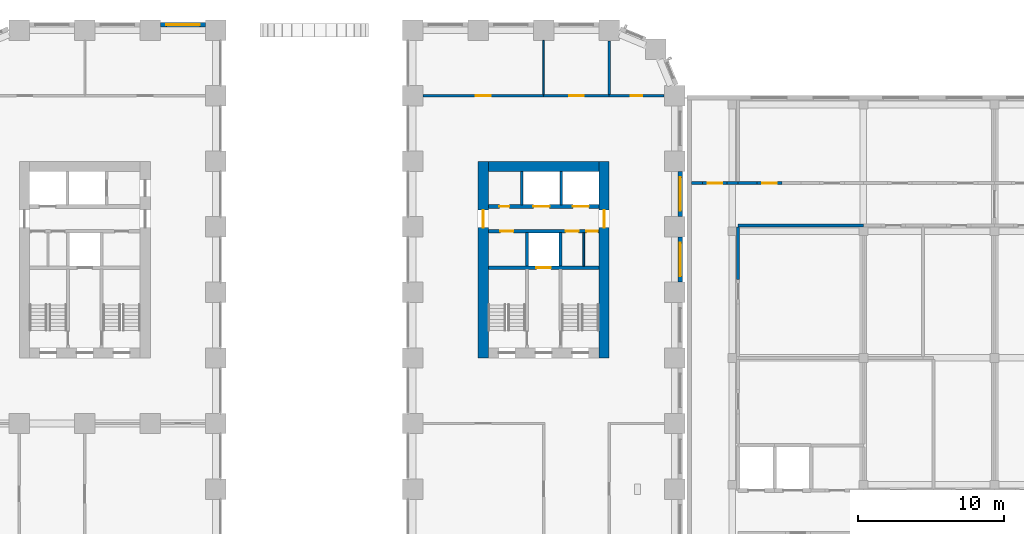
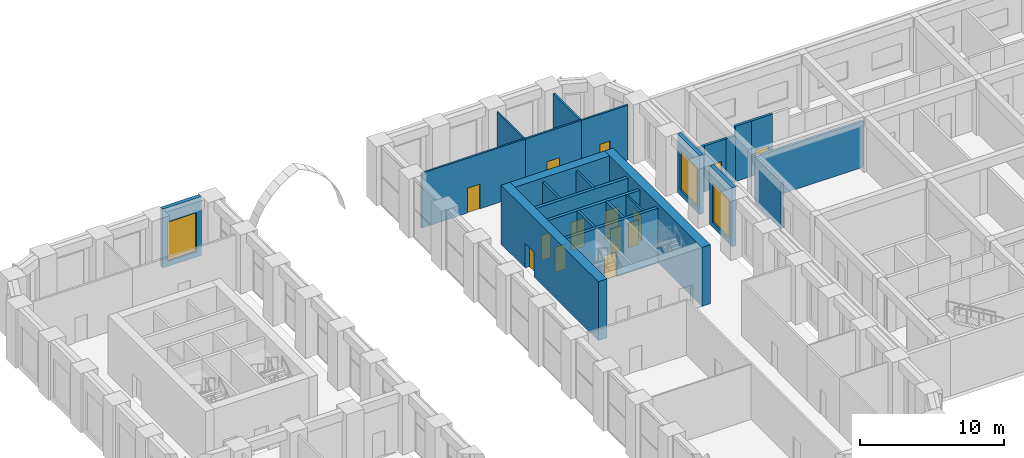
# One storey, part 12 of 24: 26 walls, 14 doors, 3 windows, 17 openings.
"""IFC4 building model written with IfcOpenShell, lengths in metres."""

from ifc_helpers import new_model, si_unit, direction, frame, frame_2d, origin, place, context, subcontext, project, spatial, rectangle, extrude, material, layer, layer_set, type_object, element, fill, save


model = new_model("IFC4")

# Units and contexts
model_context = context("Model", 3, precision=1e-05, world=origin(), true_north=direction((0.0, 1.0)))
body_context = subcontext(model_context, "Body", "Model", "MODEL_VIEW")
ifc_project = project(units=[si_unit("LENGTHUNIT", "METRE"), si_unit("AREAUNIT", "SQUARE_METRE"), si_unit("VOLUMEUNIT", "CUBIC_METRE"), si_unit("PLANEANGLEUNIT", "RADIAN"), si_unit("MASSUNIT", "GRAM", prefix="KILO")], contexts=[model_context])

# Site, building, storey
site_placement = place(None, origin())
site = spatial("IfcSite", under=ifc_project, at=site_placement, CompositionType="ELEMENT")
building_placement = place(site_placement, origin())
building = spatial("IfcBuilding", under=site, at=building_placement, Name="Girih Gate Residences", CompositionType="ELEMENT")
storey_placement = place(building_placement, frame((0.0, 0.0, 11.0)))
storey = spatial("IfcBuildingStorey", under=building, at=storey_placement, Name="L02", CompositionType="ELEMENT", Elevation=11.0)

# Wall
ifc_material_1 = material(Name="Gypsum board on steel studs", Category="steel")
ifc_layer_1 = layer(ifc_material_1, 0.14990234375)
ifc_layer_set_1 = layer_set([ifc_layer_1], Name="Compartment wall 150 mm")
wall_type_1 = type_object("IfcWallType", Name="Compartment wall 150 mm", PredefinedType="PARTITIONING", material=ifc_layer_set_1)
wall_1_placement = place(storey_placement, frame((45.0, 45.074951171875, 0.0), z_axis=(0.0, 0.0, 1.0), x_axis=(0.0, 1.0, 0.0)))
element("IfcWall", 1, at=wall_1_placement, inside=storey, type_object=wall_type_1, Name="L02 partition", PredefinedType="PARTITIONING", context=body_context, shape_type="SweptSolid", body=[
    extrude(rectangle(XDim=3.66748046875, YDim=0.14990234375, at=frame_2d((1.833740234375, 0.0))), origin(), (0.0, 0.0, 1.0), 4.64990234375),
])

# Wall, opening, door
wall_2_placement = place(storey_placement, frame((45.0, 45.0, 0.0), z_axis=(0.0, 0.0, 1.0), x_axis=(1.0, 0.0, 0.0)))
wall_2 = element("IfcWall", 2, at=wall_2_placement, inside=storey, type_object=wall_type_1, Name="L02 partition", PredefinedType="PARTITIONING", context=body_context, shape_type="SweptSolid", body=[
    extrude(rectangle(XDim=3.742431640625, YDim=0.14990234375, at=frame_2d((1.87109375, 0.0))), origin(), (0.0, 0.0, 1.0), 4.64990234375),
])
opening_1_placement = place(wall_2_placement, frame((1.47119140625, 0.0, 0.0)))
opening_1 = element("IfcOpeningElement", 3, at=opening_1_placement, cuts=wall_2, Name="Opening D-L02-S-002", PredefinedType="OPENING", context=body_context, shape_type="SweptSolid", body=[
    extrude(rectangle(XDim=0.800048828125, YDim=2.10009765625, at=frame_2d((0.39990234375, 1.050048828125))), frame((0.0, 0.0849609375, 0.0), z_axis=(0.0, -1.0, 0.0), x_axis=(1.0, 0.0, 0.0)), (0.0, 0.0, 1.0), 0.169921875),
])
ifc_material_2 = material(Name="Timber", Category="wood")
door_type_1 = type_object("IfcDoorType", Name="WC and store door 800x2100", OperationType="SINGLE_SWING_LEFT", PredefinedType="DOOR", material=ifc_material_2)
door_1_placement = place(opening_1_placement, origin())
door_1 = element("IfcDoor", 4, at=door_1_placement, inside=storey, type_object=door_type_1, Name="Door L02-002", OperationType="SINGLE_SWING_RIGHT", OverallHeight=2.10009765625, OverallWidth=0.800048828125, PredefinedType="DOOR", context=body_context, shape_type="SweptSolid", body=[
    extrude(rectangle(XDim=0.800048828125, YDim=2.10009765625, at=frame_2d((0.39990234375, 1.050048828125))), frame((0.0, 0.02490234375, 0.0), z_axis=(0.0, -1.0, 0.0), x_axis=(1.0, 0.0, 0.0)), (0.0, 0.0, 1.0), 0.050048828125),
])
fill(opening_1, door_1)

wall_3_placement = place(storey_placement, frame((40.5, 45.0, 0.0), z_axis=(0.0, 0.0, 1.0), x_axis=(1.0, 0.0, 0.0)))
wall_3 = element("IfcWall", 5, at=wall_3_placement, inside=storey, type_object=wall_type_1, Name="L02 partition", PredefinedType="PARTITIONING", context=body_context, shape_type="SweptSolid", body=[
    extrude(rectangle(XDim=4.5, YDim=0.14990234375, at=frame_2d((2.25, 0.0))), origin(), (0.0, 0.0, 1.0), 4.64990234375),
])
opening_2_placement = place(wall_3_placement, frame((1.75, 0.0, 0.0)))
opening_2 = element("IfcOpeningElement", 6, at=opening_2_placement, cuts=wall_3, Name="Opening D-L02-S-003", PredefinedType="OPENING", context=body_context, shape_type="SweptSolid", body=[
    extrude(rectangle(XDim=1.0, YDim=2.10009765625, at=frame_2d((0.5, 1.050048828125))), frame((0.0, 0.0849609375, 0.0), z_axis=(0.0, -1.0, 0.0), x_axis=(1.0, 0.0, 0.0)), (0.0, 0.0, 1.0), 0.169921875),
])
ifc_material_3 = material(Name="Timber, fire-rated core", Category="wood")
door_type_2 = type_object("IfcDoorType", Name="Amenity door 1000x2100 FD30S", OperationType="SINGLE_SWING_LEFT", PredefinedType="DOOR", material=ifc_material_3)
door_2_placement = place(opening_2_placement, origin())
door_2 = element("IfcDoor", 7, at=door_2_placement, inside=storey, type_object=door_type_2, Name="Door L02-003", OperationType="SINGLE_SWING_RIGHT", OverallHeight=2.10009765625, OverallWidth=1.0, PredefinedType="DOOR", context=body_context, shape_type="SweptSolid", body=[
    extrude(rectangle(XDim=1.0, YDim=2.10009765625, at=frame_2d((0.5, 1.050048828125))), frame((0.0, 0.02490234375, 0.0), z_axis=(0.0, -1.0, 0.0), x_axis=(1.0, 0.0, 0.0)), (0.0, 0.0, 1.0), 0.050048828125),
])
fill(opening_2, door_2)

wall_4_placement = place(storey_placement, frame((32.199951171875, 45.0, 0.0), z_axis=(0.0, 0.0, 1.0), x_axis=(1.0, 0.0, 0.0)))
wall_4 = element("IfcWall", 8, at=wall_4_placement, inside=storey, type_object=wall_type_1, Name="L02 partition", PredefinedType="PARTITIONING", context=body_context, shape_type="SweptSolid", body=[
    extrude(rectangle(XDim=8.300048828125, YDim=0.14990234375, at=frame_2d((4.14990234375, 0.0))), origin(), (0.0, 0.0, 1.0), 4.64990234375),
])
opening_3_placement = place(wall_4_placement, frame((3.64990234375, 0.0, 0.0)))
opening_3 = element("IfcOpeningElement", 9, at=opening_3_placement, cuts=wall_4, Name="Opening D-L02-S-004", PredefinedType="OPENING", context=body_context, shape_type="SweptSolid", body=[
    extrude(rectangle(XDim=1.0, YDim=2.10009765625, at=frame_2d((0.5, 1.050048828125))), frame((0.0, 0.0849609375, 0.0), z_axis=(0.0, -1.0, 0.0), x_axis=(1.0, 0.0, 0.0)), (0.0, 0.0, 1.0), 0.169921875),
])
door_3_placement = place(opening_3_placement, origin())
door_3 = element("IfcDoor", 10, at=door_3_placement, inside=storey, type_object=door_type_2, Name="Door L02-004", OperationType="SINGLE_SWING_RIGHT", OverallHeight=2.10009765625, OverallWidth=1.0, PredefinedType="DOOR", context=body_context, shape_type="SweptSolid", body=[
    extrude(rectangle(XDim=1.0, YDim=2.10009765625, at=frame_2d((0.5, 1.050048828125))), frame((0.0, 0.02490234375, 0.0), z_axis=(0.0, -1.0, 0.0), x_axis=(1.0, 0.0, 0.0)), (0.0, 0.0, 1.0), 0.050048828125),
])
fill(opening_3, door_3)

# Wall
ifc_material_4 = material(Name="Concrete C60/75", Category="concrete")
ifc_layer_2 = layer(ifc_material_4, 0.699951171875)
ifc_layer_set_2 = layer_set([ifc_layer_2], Name="Core wall RC 700 Concrete C60/75")
wall_type_2 = type_object("IfcWallType", Name="Core wall RC 700 Concrete C60/75", PredefinedType="SOLIDWALL", material=ifc_layer_set_2)
wall_5_placement = place(storey_placement, frame((36.699951171875, 40.14990234375, 0.0), z_axis=(0.0, 0.0, 1.0), x_axis=(1.0, 0.0, 0.0)))
element("IfcWall", 11, at=wall_5_placement, inside=storey, type_object=wall_type_2, Name="Core wall E-N L02", PredefinedType="SOLIDWALL", context=body_context, shape_type="SweptSolid", body=[
    extrude(rectangle(XDim=7.60009765625, YDim=0.699951171875, at=frame_2d((3.800048828125, 0.0))), origin(), (0.0, 0.0, 1.0), 5.0),
])

# Wall, opening, door
wall_6_placement = place(storey_placement, frame((36.35009765625, 27.0, 0.0), z_axis=(0.0, 0.0, 1.0), x_axis=(0.0, 1.0, 0.0)))
wall_6 = element("IfcWall", 12, at=wall_6_placement, inside=storey, type_object=wall_type_2, Name="Core wall E-W L02", PredefinedType="SOLIDWALL", context=body_context, shape_type="SweptSolid", body=[
    extrude(rectangle(XDim=13.5, YDim=0.699951171875, at=frame_2d((6.75, 0.0))), origin(), (0.0, 0.0, 1.0), 5.0),
])
opening_4_placement = place(wall_6_placement, frame((8.949951171875, 0.0, 0.0)))
opening_4 = element("IfcOpeningElement", 13, at=opening_4_placement, cuts=wall_6, Name="Opening D-L02-E-013", PredefinedType="OPENING", context=body_context, shape_type="SweptSolid", body=[
    extrude(rectangle(XDim=1.199951171875, YDim=2.10009765625, at=frame_2d((0.60009765625, 1.050048828125))), frame((0.0, 0.35986328125, 0.0), z_axis=(0.0, -1.0, 0.0), x_axis=(1.0, 0.0, 0.0)), (0.0, 0.0, 1.0), 0.719970703125),
])
ifc_material_5 = material(Name="Painted steel, fire-resisting", Category="steel")
door_type_3 = type_object("IfcDoorType", Name="Fire door 1200x2100", OperationType="SINGLE_SWING_LEFT", PredefinedType="DOOR", material=ifc_material_5)
door_4_placement = place(opening_4_placement, origin())
door_4 = element("IfcDoor", 14, at=door_4_placement, inside=storey, type_object=door_type_3, Name="L02 E core door ll-w", OperationType="SINGLE_SWING_LEFT", OverallHeight=2.10009765625, OverallWidth=1.199951171875, PredefinedType="DOOR", context=body_context, shape_type="SweptSolid", body=[
    extrude(rectangle(XDim=1.199951171875, YDim=2.10009765625, at=frame_2d((0.60009765625, 1.050048828125))), frame((0.0, 0.02490234375, 0.0), z_axis=(0.0, -1.0, 0.0), x_axis=(1.0, 0.0, 0.0)), (0.0, 0.0, 1.0), 0.050048828125),
])
fill(opening_4, door_4)

wall_7_placement = place(storey_placement, frame((44.64990234375, 27.0, 0.0), z_axis=(0.0, 0.0, 1.0), x_axis=(0.0, 1.0, 0.0)))
wall_7 = element("IfcWall", 15, at=wall_7_placement, inside=storey, type_object=wall_type_2, Name="Core wall E-E L02", PredefinedType="SOLIDWALL", context=body_context, shape_type="SweptSolid", body=[
    extrude(rectangle(XDim=13.5, YDim=0.699951171875, at=frame_2d((6.75, 0.0))), origin(), (0.0, 0.0, 1.0), 5.0),
])
opening_5_placement = place(wall_7_placement, frame((8.949951171875, 0.0, 0.0)))
opening_5 = element("IfcOpeningElement", 16, at=opening_5_placement, cuts=wall_7, Name="Opening D-L02-E-014", PredefinedType="OPENING", context=body_context, shape_type="SweptSolid", body=[
    extrude(rectangle(XDim=1.199951171875, YDim=2.10009765625, at=frame_2d((0.60009765625, 1.050048828125))), frame((0.0, 0.35986328125, 0.0), z_axis=(0.0, -1.0, 0.0), x_axis=(1.0, 0.0, 0.0)), (0.0, 0.0, 1.0), 0.719970703125),
])
door_5_placement = place(opening_5_placement, origin())
door_5 = element("IfcDoor", 17, at=door_5_placement, inside=storey, type_object=door_type_3, Name="L02 E core door ll-e", OperationType="SINGLE_SWING_LEFT", OverallHeight=2.10009765625, OverallWidth=1.199951171875, PredefinedType="DOOR", context=body_context, shape_type="SweptSolid", body=[
    extrude(rectangle(XDim=1.199951171875, YDim=2.10009765625, at=frame_2d((0.60009765625, 1.050048828125))), frame((0.0, 0.02490234375, 0.0), z_axis=(0.0, -1.0, 0.0), x_axis=(1.0, 0.0, 0.0)), (0.0, 0.0, 1.0), 0.050048828125),
])
fill(opening_5, door_5)

# Walls
ifc_material_6 = material(Name="Fire-rated gypsum partition")
ifc_layer_3 = layer(ifc_material_6, 0.199951171875)
ifc_layer_set_3 = layer_set([ifc_layer_3], Name="HC Corridor wall 200 EI 60")
wall_type_3 = type_object("IfcWallType", Name="HC Corridor wall 200 EI 60", PredefinedType="PARTITIONING", material=ifc_layer_set_3)
wall_8_placement = place(storey_placement, frame((53.85009765625, 36.10009765625, 0.0), z_axis=(0.0, 0.0, 1.0), x_axis=(1.0, 0.0, 0.0)))
element("IfcWall", 18, at=wall_8_placement, inside=storey, type_object=wall_type_3, Name="L02 wall x36.10/53.9", PredefinedType="PARTITIONING", context=body_context, shape_type="SweptSolid", body=[
    extrude(rectangle(XDim=8.599853515625, YDim=0.199951171875, at=frame_2d((4.2998046875, 0.0))), origin(), (0.0, 0.0, 1.0), 3.89990234375),
])
wall_9_placement = place(storey_placement, frame((50.64990234375, 39.0, 0.0), z_axis=(0.0, 0.0, 1.0), x_axis=(1.0, 0.0, 0.0)))
element("IfcWall", 19, at=wall_9_placement, inside=storey, type_object=wall_type_3, Name="L02 wall x39.00/50.6", PredefinedType="PARTITIONING", context=body_context, shape_type="SweptSolid", body=[
    extrude(rectangle(XDim=0.75, YDim=0.199951171875, at=frame_2d((0.375, 0.0))), origin(), (0.0, 0.0, 1.0), 3.89990234375),
])

# Wall, opening, door
wall_10_placement = place(storey_placement, frame((51.39990234375, 39.0, 0.0), z_axis=(0.0, 0.0, 1.0), x_axis=(1.0, 0.0, 0.0)))
wall_10 = element("IfcWall", 20, at=wall_10_placement, inside=storey, type_object=wall_type_3, Name="L02 wall x39.00/51.4", PredefinedType="PARTITIONING", context=body_context, shape_type="SweptSolid", body=[
    extrude(rectangle(XDim=1.7001953125, YDim=0.199951171875, at=frame_2d((0.85009765625, 0.0))), origin(), (0.0, 0.0, 1.0), 3.89990234375),
])
opening_6_placement = place(wall_10_placement, frame((0.35009765625, 0.0, 0.0)))
opening_6 = element("IfcOpeningElement", 21, at=opening_6_placement, cuts=wall_10, Name="Opening HC-L02-D27", PredefinedType="OPENING", context=body_context, shape_type="SweptSolid", body=[
    extrude(rectangle(XDim=1.0, YDim=2.10009765625, at=frame_2d((0.5, 1.050048828125))), frame((0.0, 0.10986328125, 0.0), z_axis=(0.0, -1.0, 0.0), x_axis=(1.0, 0.0, 0.0)), (0.0, 0.0, 1.0), 0.219970703125),
])
ifc_material_7 = material(Name="Timber door set", Category="wood")
door_type_4 = type_object("IfcDoorType", Name="HC Door 1000x2100 FD30S", OperationType="NOTDEFINED", PredefinedType="DOOR", material=ifc_material_7)
door_6_placement = place(opening_6_placement, origin())
door_6 = element("IfcDoor", 22, at=door_6_placement, inside=storey, type_object=door_type_4, Name="L02 Practice manager office door", OperationType="SINGLE_SWING_LEFT", OverallHeight=2.10009765625, OverallWidth=1.0, PredefinedType="DOOR", context=body_context, shape_type="SweptSolid", body=[
    extrude(rectangle(XDim=1.0, YDim=2.10009765625, at=frame_2d((0.5, 1.050048828125))), frame((0.0, 0.02490234375, 0.0), z_axis=(0.0, -1.0, 0.0), x_axis=(1.0, 0.0, 0.0)), (0.0, 0.0, 1.0), 0.050048828125),
])
fill(opening_6, door_6)

# Walls
wall_11_placement = place(storey_placement, frame((53.10009765625, 39.0, 0.0), z_axis=(0.0, 0.0, 1.0), x_axis=(1.0, 0.0, 0.0)))
element("IfcWall", 23, at=wall_11_placement, inside=storey, type_object=wall_type_3, Name="L02 wall x39.00/53.1", PredefinedType="PARTITIONING", context=body_context, shape_type="SweptSolid", body=[
    extrude(rectangle(XDim=0.75, YDim=0.199951171875, at=frame_2d((0.375, 0.0))), origin(), (0.0, 0.0, 1.0), 3.89990234375),
])
wall_12_placement = place(storey_placement, frame((53.85009765625, 39.0, 0.0), z_axis=(0.0, 0.0, 1.0), x_axis=(1.0, 0.0, 0.0)))
element("IfcWall", 24, at=wall_12_placement, inside=storey, type_object=wall_type_3, Name="L02 wall x39.00/53.9", PredefinedType="PARTITIONING", context=body_context, shape_type="SweptSolid", body=[
    extrude(rectangle(XDim=1.2998046875, YDim=0.199951171875, at=frame_2d((0.64990234375, 0.0))), origin(), (0.0, 0.0, 1.0), 4.699951171875),
])

# Wall, opening, door
wall_13_placement = place(storey_placement, frame((55.14990234375, 39.0, 0.0), z_axis=(0.0, 0.0, 1.0), x_axis=(1.0, 0.0, 0.0)))
wall_13 = element("IfcWall", 25, at=wall_13_placement, inside=storey, type_object=wall_type_3, Name="L02 wall x39.00/55.1", PredefinedType="PARTITIONING", context=body_context, shape_type="SweptSolid", body=[
    extrude(rectangle(XDim=1.7001953125, YDim=0.199951171875, at=frame_2d((0.85009765625, 0.0))), origin(), (0.0, 0.0, 1.0), 4.699951171875),
])
opening_7_placement = place(wall_13_placement, frame((0.35009765625, 0.0, 0.0)))
opening_7 = element("IfcOpeningElement", 26, at=opening_7_placement, cuts=wall_13, Name="Opening HC-L02-D28", PredefinedType="OPENING", context=body_context, shape_type="SweptSolid", body=[
    extrude(rectangle(XDim=1.0, YDim=2.10009765625, at=frame_2d((0.5, 1.050048828125))), frame((0.0, 0.10986328125, 0.0), z_axis=(0.0, -1.0, 0.0), x_axis=(1.0, 0.0, 0.0)), (0.0, 0.0, 1.0), 0.219970703125),
])
door_7_placement = place(opening_7_placement, origin())
door_7 = element("IfcDoor", 27, at=door_7_placement, inside=storey, type_object=door_type_4, Name="L02 Consulting room 9 door", OperationType="SINGLE_SWING_RIGHT", OverallHeight=2.10009765625, OverallWidth=1.0, PredefinedType="DOOR", context=body_context, shape_type="SweptSolid", body=[
    extrude(rectangle(XDim=1.0, YDim=2.10009765625, at=frame_2d((0.5, 1.050048828125))), frame((0.0, 0.02490234375, 0.0), z_axis=(0.0, -1.0, 0.0), x_axis=(1.0, 0.0, 0.0)), (0.0, 0.0, 1.0), 0.050048828125),
])
fill(opening_7, door_7)

# Wall
wall_14_placement = place(storey_placement, frame((53.85009765625, 32.39990234375, 0.0), z_axis=(0.0, 0.0, 1.0), x_axis=(0.0, 1.0, 0.0)))
element("IfcWall", 28, at=wall_14_placement, inside=storey, type_object=wall_type_3, Name="L02 wall y53.85/32.4", PredefinedType="PARTITIONING", context=body_context, shape_type="SweptSolid", body=[
    extrude(rectangle(XDim=3.60009765625, YDim=0.199951171875, at=frame_2d((1.800048828125, 0.0))), origin(), (0.0, 0.0, 1.0), 3.89990234375),
])

# Wall, opening, door
ifc_material_8 = material(Name="Concrete C40/50", Category="concrete")
ifc_layer_4 = layer(ifc_material_8, 0.25)
ifc_layer_set_4 = layer_set([ifc_layer_4], Name="Lift shaft wall 250")
wall_type_4 = type_object("IfcWallType", Name="Lift shaft wall 250", PredefinedType="SOLIDWALL", material=ifc_layer_set_4)
wall_15_placement = place(storey_placement, frame((36.699951171875, 33.199951171875, 0.0), z_axis=(0.0, 0.0, 1.0), x_axis=(1.0, 0.0, 0.0)))
wall_15 = element("IfcWall", 29, at=wall_15_placement, inside=storey, type_object=wall_type_4, Name="L02 E core wall H1", PredefinedType="SOLIDWALL", context=body_context, shape_type="SweptSolid", body=[
    extrude(rectangle(XDim=7.60009765625, YDim=0.25, at=frame_2d((3.800048828125, 0.0))), origin(), (0.0, 0.0, 1.0), 4.64990234375),
])
opening_8_placement = place(wall_15_placement, frame((3.300048828125, 0.0, 0.0)))
opening_8 = element("IfcOpeningElement", 30, at=opening_8_placement, cuts=wall_15, Name="Opening D-L02-E-005", PredefinedType="OPENING", context=body_context, shape_type="SweptSolid", body=[
    extrude(rectangle(XDim=1.0, YDim=2.10009765625, at=frame_2d((0.5, 1.050048828125))), frame((0.0, 0.135009765625, 0.0), z_axis=(0.0, -1.0, 0.0), x_axis=(1.0, 0.0, 0.0)), (0.0, 0.0, 1.0), 0.27001953125),
])
ifc_material_9 = material(Name="Stainless steel, fire-resisting", Category="steel")
door_type_5 = type_object("IfcDoorType", Name="Firefighting lift landing door 1000x2100", OperationType="SLIDING_TO_LEFT", PredefinedType="DOOR", material=ifc_material_9)
door_8_placement = place(opening_8_placement, origin())
door_8 = element("IfcDoor", 31, at=door_8_placement, inside=storey, type_object=door_type_5, Name="L02 lift FF-E landing door", OperationType="SLIDING_TO_LEFT", OverallHeight=2.10009765625, OverallWidth=1.0, PredefinedType="DOOR", context=body_context, shape_type="SweptSolid", body=[
    extrude(rectangle(XDim=1.0, YDim=2.10009765625, at=frame_2d((0.5, 1.050048828125))), frame((0.0, 0.02490234375, 0.0), z_axis=(0.0, -1.0, 0.0), x_axis=(1.0, 0.0, 0.0)), (0.0, 0.0, 1.0), 0.050048828125),
])
fill(opening_8, door_8)

# Wall, openings, doors
wall_16_placement = place(storey_placement, frame((36.699951171875, 35.699951171875, 0.0), z_axis=(0.0, 0.0, 1.0), x_axis=(1.0, 0.0, 0.0)))
wall_16 = element("IfcWall", 32, at=wall_16_placement, inside=storey, type_object=wall_type_4, Name="L02 E core wall H2", PredefinedType="SOLIDWALL", context=body_context, shape_type="SweptSolid", body=[
    extrude(rectangle(XDim=7.60009765625, YDim=0.25, at=frame_2d((3.800048828125, 0.0))), origin(), (0.0, 0.0, 1.0), 4.64990234375),
])
opening_9_placement = place(wall_16_placement, frame((6.72509765625, 0.0, 0.0)))
opening_9 = element("IfcOpeningElement", 33, at=opening_9_placement, cuts=wall_16, Name="Opening D-L02-E-007", PredefinedType="OPENING", context=body_context, shape_type="SweptSolid", body=[
    extrude(rectangle(XDim=0.800048828125, YDim=2.10009765625, at=frame_2d((0.39990234375, 1.050048828125))), frame((0.0, 0.135009765625, 0.0), z_axis=(0.0, -1.0, 0.0), x_axis=(1.0, 0.0, 0.0)), (0.0, 0.0, 1.0), 0.27001953125),
])
opening_10_placement = place(wall_16_placement, frame((5.300048828125, 0.0, 0.0)))
opening_10 = element("IfcOpeningElement", 34, at=opening_10_placement, cuts=wall_16, Name="Opening D-L02-E-008", PredefinedType="OPENING", context=body_context, shape_type="SweptSolid", body=[
    extrude(rectangle(XDim=0.89990234375, YDim=2.10009765625, at=frame_2d((0.449951171875, 1.050048828125))), frame((0.0, 0.135009765625, 0.0), z_axis=(0.0, -1.0, 0.0), x_axis=(1.0, 0.0, 0.0)), (0.0, 0.0, 1.0), 0.27001953125),
])
opening_11_placement = place(wall_16_placement, frame((0.824951171875, 0.0, 0.0)))
opening_11 = element("IfcOpeningElement", 35, at=opening_11_placement, cuts=wall_16, Name="Opening D-L02-E-009", PredefinedType="OPENING", context=body_context, shape_type="SweptSolid", body=[
    extrude(rectangle(XDim=0.89990234375, YDim=2.10009765625, at=frame_2d((0.449951171875, 1.050048828125))), frame((0.0, 0.135009765625, 0.0), z_axis=(0.0, -1.0, 0.0), x_axis=(1.0, 0.0, 0.0)), (0.0, 0.0, 1.0), 0.27001953125),
])
door_type_6 = type_object("IfcDoorType", Name="Fire door 800x2100", OperationType="SINGLE_SWING_LEFT", PredefinedType="DOOR", material=ifc_material_5)
door_9_placement = place(opening_9_placement, origin())
door_9 = element("IfcDoor", 36, at=door_9_placement, inside=storey, type_object=door_type_6, Name="L02 E riser room door", OperationType="SINGLE_SWING_LEFT", OverallHeight=2.10009765625, OverallWidth=0.800048828125, PredefinedType="DOOR", context=body_context, shape_type="SweptSolid", body=[
    extrude(rectangle(XDim=0.800048828125, YDim=2.10009765625, at=frame_2d((0.39990234375, 1.050048828125))), frame((0.0, 0.02490234375, 0.0), z_axis=(0.0, -1.0, 0.0), x_axis=(1.0, 0.0, 0.0)), (0.0, 0.0, 1.0), 0.050048828125),
])
fill(opening_9, door_9)
door_type_7 = type_object("IfcDoorType", Name="Fire door 900x2100", OperationType="SINGLE_SWING_LEFT", PredefinedType="DOOR", material=ifc_material_5)
door_10_placement = place(opening_10_placement, origin())
door_10 = element("IfcDoor", 37, at=door_10_placement, inside=storey, type_object=door_type_7, Name="L02 E linen store door", OperationType="SINGLE_SWING_LEFT", OverallHeight=2.10009765625, OverallWidth=0.89990234375, PredefinedType="DOOR", context=body_context, shape_type="SweptSolid", body=[
    extrude(rectangle(XDim=0.89990234375, YDim=2.10009765625, at=frame_2d((0.449951171875, 1.050048828125))), frame((0.0, 0.02490234375, 0.0), z_axis=(0.0, -1.0, 0.0), x_axis=(1.0, 0.0, 0.0)), (0.0, 0.0, 1.0), 0.050048828125),
])
fill(opening_10, door_10)
door_11_placement = place(opening_11_placement, origin())
door_11 = element("IfcDoor", 38, at=door_11_placement, inside=storey, type_object=door_type_7, Name="L02 E pantry door", OperationType="SINGLE_SWING_LEFT", OverallHeight=2.10009765625, OverallWidth=0.89990234375, PredefinedType="DOOR", context=body_context, shape_type="SweptSolid", body=[
    extrude(rectangle(XDim=0.89990234375, YDim=2.10009765625, at=frame_2d((0.449951171875, 1.050048828125))), frame((0.0, 0.02490234375, 0.0), z_axis=(0.0, -1.0, 0.0), x_axis=(1.0, 0.0, 0.0)), (0.0, 0.0, 1.0), 0.050048828125),
])
fill(opening_11, door_11)

wall_17_placement = place(storey_placement, frame((36.699951171875, 37.39990234375, 0.0), z_axis=(0.0, 0.0, 1.0), x_axis=(1.0, 0.0, 0.0)))
wall_17 = element("IfcWall", 39, at=wall_17_placement, inside=storey, type_object=wall_type_4, Name="L02 E core wall H3", PredefinedType="SOLIDWALL", context=body_context, shape_type="SweptSolid", body=[
    extrude(rectangle(XDim=7.60009765625, YDim=0.25, at=frame_2d((3.800048828125, 0.0))), origin(), (0.0, 0.0, 1.0), 4.64990234375),
])
opening_12_placement = place(wall_17_placement, frame((5.800048828125, 0.0, 0.0)))
opening_12 = element("IfcOpeningElement", 40, at=opening_12_placement, cuts=wall_17, Name="Opening D-L02-E-003", PredefinedType="OPENING", context=body_context, shape_type="SweptSolid", body=[
    extrude(rectangle(XDim=1.10009765625, YDim=2.39990234375, at=frame_2d((0.550048828125, 1.199951171875))), frame((0.0, 0.135009765625, 0.0), z_axis=(0.0, -1.0, 0.0), x_axis=(1.0, 0.0, 0.0)), (0.0, 0.0, 1.0), 0.27001953125),
])
opening_13_placement = place(wall_17_placement, frame((3.10009765625, 0.0, 0.0)))
opening_13 = element("IfcOpeningElement", 41, at=opening_13_placement, cuts=wall_17, Name="Opening D-L02-E-004", PredefinedType="OPENING", context=body_context, shape_type="SweptSolid", body=[
    extrude(rectangle(XDim=1.10009765625, YDim=2.39990234375, at=frame_2d((0.550048828125, 1.199951171875))), frame((0.0, 0.135009765625, 0.0), z_axis=(0.0, -1.0, 0.0), x_axis=(1.0, 0.0, 0.0)), (0.0, 0.0, 1.0), 0.27001953125),
])
opening_14_placement = place(wall_17_placement, frame((0.75, 0.0, 0.0)))
opening_14 = element("IfcOpeningElement", 42, at=opening_14_placement, cuts=wall_17, Name="Opening D-L02-E-006", PredefinedType="OPENING", context=body_context, shape_type="SweptSolid", body=[
    extrude(rectangle(XDim=0.699951171875, YDim=2.10009765625, at=frame_2d((0.35009765625, 1.050048828125))), frame((0.0, 0.135009765625, 0.0), z_axis=(0.0, -1.0, 0.0), x_axis=(1.0, 0.0, 0.0)), (0.0, 0.0, 1.0), 0.27001953125),
])
ifc_material_10 = material(Name="Stainless steel", Category="steel")
door_type_8 = type_object("IfcDoorType", Name="Lift landing door 1100x2400", OperationType="SLIDING_TO_LEFT", PredefinedType="DOOR", material=ifc_material_10)
door_12_placement = place(opening_12_placement, origin())
door_12 = element("IfcDoor", 43, at=door_12_placement, inside=storey, type_object=door_type_8, Name="L02 lift LR-E1 landing door", OperationType="SLIDING_TO_LEFT", OverallHeight=2.39990234375, OverallWidth=1.10009765625, PredefinedType="DOOR", context=body_context, shape_type="SweptSolid", body=[
    extrude(rectangle(XDim=1.10009765625, YDim=2.39990234375, at=frame_2d((0.550048828125, 1.199951171875))), frame((0.0, 0.02490234375, 0.0), z_axis=(0.0, -1.0, 0.0), x_axis=(1.0, 0.0, 0.0)), (0.0, 0.0, 1.0), 0.050048828125),
])
fill(opening_12, door_12)
door_13_placement = place(opening_13_placement, origin())
door_13 = element("IfcDoor", 44, at=door_13_placement, inside=storey, type_object=door_type_8, Name="L02 lift LR-E2 landing door", OperationType="SLIDING_TO_LEFT", OverallHeight=2.39990234375, OverallWidth=1.10009765625, PredefinedType="DOOR", context=body_context, shape_type="SweptSolid", body=[
    extrude(rectangle(XDim=1.10009765625, YDim=2.39990234375, at=frame_2d((0.550048828125, 1.199951171875))), frame((0.0, 0.02490234375, 0.0), z_axis=(0.0, -1.0, 0.0), x_axis=(1.0, 0.0, 0.0)), (0.0, 0.0, 1.0), 0.050048828125),
])
fill(opening_13, door_13)
door_type_9 = type_object("IfcDoorType", Name="Riser access door 700x2100", OperationType="SINGLE_SWING_LEFT", PredefinedType="DOOR", material=ifc_material_5)
door_14_placement = place(opening_14_placement, origin())
door_14 = element("IfcDoor", 45, at=door_14_placement, inside=storey, type_object=door_type_9, Name="L02 E riser room door", OperationType="SINGLE_SWING_LEFT", OverallHeight=2.10009765625, OverallWidth=0.699951171875, PredefinedType="DOOR", context=body_context, shape_type="SweptSolid", body=[
    extrude(rectangle(XDim=0.699951171875, YDim=2.10009765625, at=frame_2d((0.35009765625, 1.050048828125))), frame((0.0, 0.02490234375, 0.0), z_axis=(0.0, -1.0, 0.0), x_axis=(1.0, 0.0, 0.0)), (0.0, 0.0, 1.0), 0.050048828125),
])
fill(opening_14, door_14)

# Wall
ifc_layer_5 = layer(ifc_material_1, 0.10009765625)
ifc_layer_set_5 = layer_set([ifc_layer_5], Name="Partition 100 mm")
wall_type_5 = type_object("IfcWallType", Name="Partition 100 mm", PredefinedType="PARTITIONING", material=ifc_layer_set_5)
wall_18_placement = place(storey_placement, frame((40.5, 45.074951171875, 0.0), z_axis=(0.0, 0.0, 1.0), x_axis=(0.0, 1.0, 0.0)))
element("IfcWall", 46, at=wall_18_placement, inside=storey, type_object=wall_type_5, Name="L02 partition", PredefinedType="PARTITIONING", context=body_context, shape_type="SweptSolid", body=[
    extrude(rectangle(XDim=3.72509765625, YDim=0.10009765625, at=frame_2d((1.862548828125, 0.0))), origin(), (0.0, 0.0, 1.0), 4.64990234375),
])

# Wall, opening, window
ifc_material_11 = material(Name="Precast concrete C50/60", Category="concrete")
ifc_layer_6 = layer(ifc_material_11, 0.080078125, Name="Outer leaf")
ifc_material_12 = material(Name="Rigid PIR insulation")
ifc_layer_7 = layer(ifc_material_12, 0.14990234375, Name="Insulation")
ifc_material_13 = material(Name="Precast concrete C40/50", Category="concrete")
ifc_layer_8 = layer(ifc_material_13, 0.070068359375, Name="Inner leaf")
ifc_layer_set_6 = layer_set([ifc_layer_6, ifc_layer_7, ifc_layer_8], Name="Precast concrete C50/60 external wall 300")
wall_type_6 = type_object("IfcWallType", Name="Precast concrete C50/60 external wall 300", PredefinedType="SOLIDWALL", material=ifc_layer_set_6)
wall_19_placement = place(storey_placement, frame((14.199951171875, 49.875, 0.0), z_axis=(0.0, 0.0, 1.0), x_axis=(1.0, 0.0, 0.0)))
wall_19 = element("IfcWall", 47, at=wall_19_placement, inside=storey, type_object=wall_type_6, Name="External wall N0180_0495.0", PredefinedType="SOLIDWALL", context=body_context, shape_type="SweptSolid", body=[
    extrude(rectangle(XDim=3.10009765625, YDim=0.300048828125, at=frame_2d((1.550048828125, 0.0))), origin(), (0.0, 0.0, 1.0), 5.0),
])
opening_15_placement = place(wall_19_placement, frame((0.39990234375, 0.0, 0.449951171875)))
opening_15 = element("IfcOpeningElement", 48, at=opening_15_placement, cuts=wall_19, Name="Opening W-3", PredefinedType="OPENING", context=body_context, shape_type="SweptSolid", body=[
    extrude(rectangle(XDim=2.300048828125, YDim=3.300048828125, at=frame_2d((1.14990234375, 1.64990234375))), frame((0.0, 0.159912109375, 0.0), z_axis=(0.0, -1.0, 0.0), x_axis=(1.0, 0.0, 0.0)), (0.0, 0.0, 1.0), 0.320068359375),
])
ifc_material_14 = material(Name="Double glazing in aluminium frame", Category="aluminium")
window_type = type_object("IfcWindowType", Name="Window W-3 2300x3300", PartitioningType="SINGLE_PANEL", PredefinedType="WINDOW", material=ifc_material_14)
window_1_placement = place(opening_15_placement, origin())
window_1 = element("IfcWindow", 49, at=window_1_placement, inside=storey, type_object=window_type, Name="Window W-3 N0180_0495.0", OverallHeight=3.300048828125, OverallWidth=2.300048828125, PartitioningType="SINGLE_PANEL", PredefinedType="WINDOW", context=body_context, shape_type="SweptSolid", body=[
    extrude(rectangle(XDim=2.300048828125, YDim=3.300048828125, at=frame_2d((1.14990234375, 1.64990234375))), frame((0.0, 0.030029296875, 0.0), z_axis=(0.0, -1.0, 0.0), x_axis=(1.0, 0.0, 0.0)), (0.0, 0.0, 1.0), 0.06005859375),
])
fill(opening_15, window_1)

wall_20_placement = place(storey_placement, frame((49.875, 35.300048828125, 0.0), z_axis=(0.0, 0.0, 1.0), x_axis=(0.0, -1.0, 0.0)))
wall_20 = element("IfcWall", 50, at=wall_20_placement, inside=storey, type_object=wall_type_6, Name="External wall E0495_0045.6", PredefinedType="SOLIDWALL", context=body_context, shape_type="SweptSolid", body=[
    extrude(rectangle(XDim=3.10009765625, YDim=0.300048828125, at=frame_2d((1.550048828125, 0.0))), origin(), (0.0, 0.0, 1.0), 5.0),
])
opening_16_placement = place(wall_20_placement, frame((0.39990234375, 0.0, 0.449951171875)))
opening_16 = element("IfcOpeningElement", 51, at=opening_16_placement, cuts=wall_20, Name="Opening W-3", PredefinedType="OPENING", context=body_context, shape_type="SweptSolid", body=[
    extrude(rectangle(XDim=2.300048828125, YDim=3.300048828125, at=frame_2d((1.14990234375, 1.64990234375))), frame((0.0, 0.159912109375, 0.0), z_axis=(0.0, -1.0, 0.0), x_axis=(1.0, 0.0, 0.0)), (0.0, 0.0, 1.0), 0.320068359375),
])
window_2_placement = place(opening_16_placement, origin())
window_2 = element("IfcWindow", 52, at=window_2_placement, inside=storey, type_object=window_type, Name="Window W-3 E0495_0045.6", OverallHeight=3.300048828125, OverallWidth=2.300048828125, PartitioningType="SINGLE_PANEL", PredefinedType="WINDOW", context=body_context, shape_type="SweptSolid", body=[
    extrude(rectangle(XDim=2.300048828125, YDim=3.300048828125, at=frame_2d((1.14990234375, 1.64990234375))), frame((0.0, 0.030029296875, 0.0), z_axis=(0.0, -1.0, 0.0), x_axis=(1.0, 0.0, 0.0)), (0.0, 0.0, 1.0), 0.06005859375),
])
fill(opening_16, window_2)

wall_21_placement = place(storey_placement, frame((49.875, 39.800048828125, 0.0), z_axis=(0.0, 0.0, 1.0), x_axis=(0.0, -1.0, 0.0)))
wall_21 = element("IfcWall", 53, at=wall_21_placement, inside=storey, type_object=wall_type_6, Name="External wall E0495_0045.7", PredefinedType="SOLIDWALL", context=body_context, shape_type="SweptSolid", body=[
    extrude(rectangle(XDim=3.10009765625, YDim=0.300048828125, at=frame_2d((1.550048828125, 0.0))), origin(), (0.0, 0.0, 1.0), 5.0),
])
opening_17_placement = place(wall_21_placement, frame((0.39990234375, 0.0, 0.449951171875)))
opening_17 = element("IfcOpeningElement", 54, at=opening_17_placement, cuts=wall_21, Name="Opening W-3", PredefinedType="OPENING", context=body_context, shape_type="SweptSolid", body=[
    extrude(rectangle(XDim=2.300048828125, YDim=3.300048828125, at=frame_2d((1.14990234375, 1.64990234375))), frame((0.0, 0.159912109375, 0.0), z_axis=(0.0, -1.0, 0.0), x_axis=(1.0, 0.0, 0.0)), (0.0, 0.0, 1.0), 0.320068359375),
])
window_3_placement = place(opening_17_placement, origin())
window_3 = element("IfcWindow", 55, at=window_3_placement, inside=storey, type_object=window_type, Name="Window W-3 E0495_0045.7", OverallHeight=3.300048828125, OverallWidth=2.300048828125, PartitioningType="SINGLE_PANEL", PredefinedType="WINDOW", context=body_context, shape_type="SweptSolid", body=[
    extrude(rectangle(XDim=2.300048828125, YDim=3.300048828125, at=frame_2d((1.14990234375, 1.64990234375))), frame((0.0, 0.030029296875, 0.0), z_axis=(0.0, -1.0, 0.0), x_axis=(1.0, 0.0, 0.0)), (0.0, 0.0, 1.0), 0.06005859375),
])
fill(opening_17, window_3)

# Walls
ifc_layer_9 = layer(ifc_material_8, 0.175048828125)
ifc_layer_set_7 = layer_set([ifc_layer_9], Name="Riser shaft wall 175")
wall_type_7 = type_object("IfcWallType", Name="Riser shaft wall 175", PredefinedType="SOLIDWALL", material=ifc_layer_set_7)
for number, where, z_axis, x_axis, name in (
    (56, (41.699951171875, 37.5, 0.0), (0.0, 0.0, 1.0), (0.0, 1.0, 0.0), "L02 E core wall V1c"),
    (57, (39.0, 37.5, 0.0), (0.0, 0.0, 1.0), (0.0, 1.0, 0.0), "L02 E core wall V2c"),
):
    element("IfcWall", number, at=place(storey_placement, frame(where, z_axis=z_axis, x_axis=x_axis)), inside=storey, type_object=wall_type_7, Name=name, PredefinedType="SOLIDWALL", context=body_context, shape_type="SweptSolid", body=[
        extrude(rectangle(XDim=2.300048828125, YDim=0.175048828125, at=frame_2d((1.14990234375, 0.0))), origin(), (0.0, 0.0, 1.0), 4.64990234375),
    ])
ifc_layer_10 = layer(ifc_material_8, 0.199951171875)
ifc_layer_set_8 = layer_set([ifc_layer_10], Name="Shaft wall 200")
wall_type_8 = type_object("IfcWallType", Name="Shaft wall 200", PredefinedType="SOLIDWALL", material=ifc_layer_set_8)
for number, where, z_axis, x_axis, name in (
    (58, (41.64990234375, 33.300048828125, 0.0), (0.0, 0.0, 1.0), (0.0, 1.0, 0.0), "L02 E core wall V1b"),
    (59, (39.35009765625, 33.300048828125, 0.0), (0.0, 0.0, 1.0), (0.0, 1.0, 0.0), "L02 E core wall V2b"),
):
    element("IfcWall", number, at=place(storey_placement, frame(where, z_axis=z_axis, x_axis=x_axis)), inside=storey, type_object=wall_type_8, Name=name, PredefinedType="SOLIDWALL", context=body_context, shape_type="SweptSolid", body=[
        extrude(rectangle(XDim=2.300048828125, YDim=0.199951171875, at=frame_2d((1.14990234375, 0.0))), origin(), (0.0, 0.0, 1.0), 4.64990234375),
    ])
ifc_material_15 = material(Name="Calcium silicate blockwork", Category="masonry")
ifc_layer_11 = layer(ifc_material_15, 0.125)
ifc_layer_set_9 = layer_set([ifc_layer_11], Name="Store partition 125")
wall_type_9 = type_object("IfcWallType", Name="Store partition 125", PredefinedType="PARTITIONING", material=ifc_layer_set_9)
wall_22_placement = place(storey_placement, frame((43.25, 33.300048828125, 0.0), z_axis=(0.0, 0.0, 1.0), x_axis=(0.0, 1.0, 0.0)))
element("IfcWall", 60, at=wall_22_placement, inside=storey, type_object=wall_type_9, Name="L02 E core wall SHR1", PredefinedType="PARTITIONING", context=body_context, shape_type="SweptSolid", body=[
    extrude(rectangle(XDim=2.300048828125, YDim=0.125, at=frame_2d((1.14990234375, 0.0))), origin(), (0.0, 0.0, 1.0), 4.64990234375),
])

save(model, "model.ifc")
